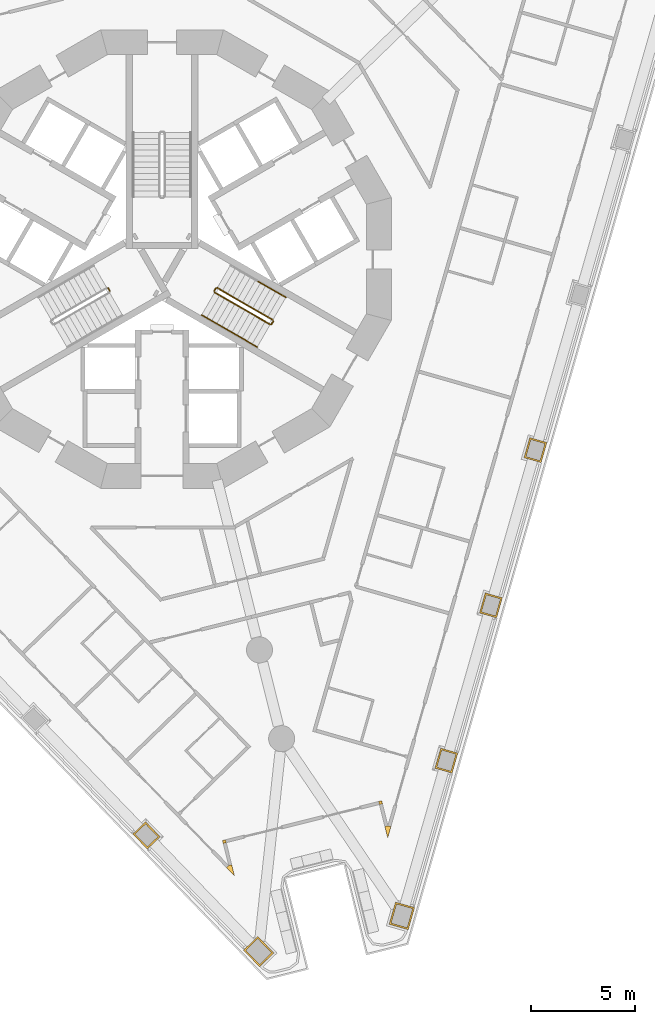
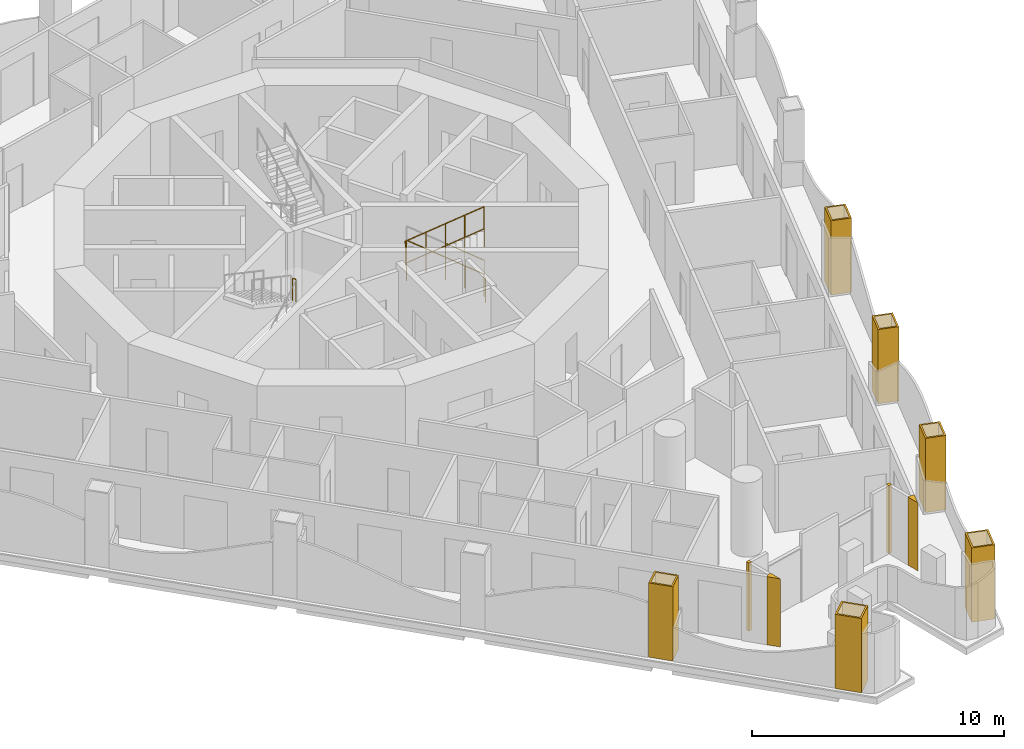
# One storey, part 13 of 18: 10 coverings, 8 railings.
"""IFC4 building model written with IfcOpenShell, lengths in metres."""

from ifc_helpers import new_model, si_unit, direction, frame, origin, origin_2d, place, context, subcontext, project, spatial, polyline, circle, outline, extrude, material, layer, layer_set, type_object, element, save


model = new_model("IFC4")

# Units and contexts
model_context = context("Model", 3, precision=1e-05, world=origin(), true_north=direction((0.0, 1.0)))
body_context = subcontext(model_context, "Body", "Model", "MODEL_VIEW")
ifc_project = project(units=[si_unit("LENGTHUNIT", "METRE"), si_unit("AREAUNIT", "SQUARE_METRE"), si_unit("VOLUMEUNIT", "CUBIC_METRE"), si_unit("PLANEANGLEUNIT", "RADIAN"), si_unit("MASSUNIT", "GRAM", prefix="KILO")], contexts=[model_context])

# Site, building, storey
site_placement = place(None, origin())
site = spatial("IfcSite", under=ifc_project, at=site_placement, CompositionType="ELEMENT")
building_placement = place(site_placement, origin())
building = spatial("IfcBuilding", under=site, at=building_placement, Name="Trine Commons Tower", CompositionType="ELEMENT")
storey_placement = place(building_placement, frame((0.0, 0.0, 90.89990234375)))
storey = spatial("IfcBuildingStorey", under=building, at=storey_placement, Name="L22", CompositionType="ELEMENT", Elevation=90.89990234375)

# Coverings
ifc_material_1 = material(Name="Aluminium-framed insulated wall panel", Category="aluminium")
ifc_layer_1 = layer(ifc_material_1, 0.14990234375)
ifc_layer_set_1 = layer_set([ifc_layer_1], Name="Aluminium-framed insulated wall panel")
covering_type_1 = type_object("IfcCoveringType", Name="Glazing corner post, aluminium", PredefinedType="CLADDING", material=ifc_layer_set_1)
covering_1_placement = place(storey_placement, origin())
element("IfcCovering", 1, at=covering_1_placement, inside=storey, type_object=covering_type_1, Name="Glazing corner post 3-09", PredefinedType="CLADDING", context=body_context, shape_type="SweptSolid", body=[
    extrude(outline(polyline([(90.701416015625, 35.24560546875), (90.836669921875, 34.70263671875), (90.990966796875, 35.24072265625), (90.8466796875, 35.281982421875), (90.701416015625, 35.24560546875)])), origin(), (0.0, 0.0, 1.0), 3.300048828125),
])
covering_2_placement = place(storey_placement, origin())
element("IfcCovering", 2, at=covering_2_placement, inside=storey, type_object=covering_type_1, Name="Glazing corner post 3-10", PredefinedType="CLADDING", context=body_context, shape_type="SweptSolid", body=[
    extrude(outline(polyline([(90.40234375, 36.44482421875), (90.438720703125, 36.29931640625), (90.584228515625, 36.33544921875), (90.5478515625, 36.481201171875), (90.40234375, 36.44482421875)])), origin(), (0.0, 0.0, 1.0), 3.300048828125),
])
covering_3_placement = place(storey_placement, origin())
element("IfcCovering", 3, at=covering_3_placement, inside=storey, type_object=covering_type_1, Name="Glazing corner post 3-11", PredefinedType="CLADDING", context=body_context, shape_type="SweptSolid", body=[
    extrude(outline(polyline([(82.938232421875, 34.42919921875), (83.083740234375, 34.465576171875), (83.047607421875, 34.611083984375), (82.90185546875, 34.57470703125), (82.938232421875, 34.42919921875)])), origin(), (0.0, 0.0, 1.0), 3.300048828125),
])
covering_4_placement = place(storey_placement, origin())
element("IfcCovering", 4, at=covering_4_placement, inside=storey, type_object=covering_type_1, Name="Glazing corner post 3-12", PredefinedType="CLADDING", context=body_context, shape_type="SweptSolid", body=[
    extrude(outline(polyline([(83.093017578125, 33.271484375), (83.48193359375, 32.868896484375), (83.346435546875, 33.412109375), (83.200927734375, 33.375732421875), (83.093017578125, 33.271484375)])), origin(), (0.0, 0.0, 1.0), 3.300048828125),
])
ifc_material_2 = material(Name="Limestone, honed", Category="masonry")
ifc_layer_2 = layer(ifc_material_2, 0.074951171875)
ifc_layer_set_2 = layer_set([ifc_layer_2], Name="Limestone, honed")
covering_type_2 = type_object("IfcCoveringType", Name="Limestone column cladding 75", PredefinedType="CLADDING", material=ifc_layer_set_2)
covering_5_placement = place(storey_placement, origin())
element("IfcCovering", 5, at=covering_5_placement, inside=storey, type_object=covering_type_2, Name="Limestone pier cladding 3-01", PredefinedType="CLADDING", context=body_context, shape_type="SweptSolid", body=[
    extrude(outline(polyline([(84.600341796875, 29.961669921875), (83.9169921875, 29.3017578125), (84.68115234375, 28.510498046875), (85.364501953125, 29.17041015625), (84.600341796875, 29.961669921875)]), holes=[polyline([(84.598388671875, 29.85546875), (84.02294921875, 29.2998046875), (84.682861328125, 28.616455078125), (85.25830078125, 29.172119140625), (84.598388671875, 29.85546875)])]), origin(), (0.0, 0.0, 1.0), 3.60009765625),
])
covering_6_placement = place(storey_placement, origin())
element("IfcCovering", 6, at=covering_6_placement, inside=storey, type_object=covering_type_2, Name="Limestone pier cladding 3-02", PredefinedType="CLADDING", context=body_context, shape_type="SweptSolid", body=[
    extrude(outline(polyline([(79.210205078125, 35.47119140625), (78.5986328125, 34.880859375), (79.293212890625, 34.16162109375), (79.90478515625, 34.751953125), (79.210205078125, 35.47119140625)]), holes=[polyline([(79.208251953125, 35.365234375), (78.70458984375, 34.87890625), (79.295166015625, 34.267578125), (79.798583984375, 34.75390625), (79.208251953125, 35.365234375)])]), origin(), (0.0, 0.0, 1.0), 3.60009765625),
])
covering_7_placement = place(storey_placement, origin())
element("IfcCovering", 7, at=covering_7_placement, inside=storey, type_object=covering_type_2, Name="Limestone pier cladding 3-21", PredefinedType="CLADDING", context=body_context, shape_type="SweptSolid", body=[
    extrude(outline(polyline([(98.48046875, 53.685791015625), (97.663330078125, 53.920166015625), (97.3876953125, 52.958984375), (98.20458984375, 52.724609375), (98.48046875, 53.685791015625)]), holes=[polyline([(98.3876953125, 53.634521484375), (97.714599609375, 53.827392578125), (97.48046875, 53.01025390625), (98.1533203125, 52.8173828125), (98.3876953125, 53.634521484375)])]), origin(), (0.0, 0.0, 1.0), 3.60009765625),
])
covering_8_placement = place(storey_placement, origin())
element("IfcCovering", 8, at=covering_8_placement, inside=storey, type_object=covering_type_2, Name="Limestone pier cladding 3-22", PredefinedType="CLADDING", context=body_context, shape_type="SweptSolid", body=[
    extrude(outline(polyline([(96.342041015625, 46.228759765625), (95.52490234375, 46.462890625), (95.249267578125, 45.501708984375), (96.06640625, 45.267333984375), (96.342041015625, 46.228759765625)]), holes=[polyline([(96.249267578125, 46.17724609375), (95.576416015625, 46.3701171875), (95.342041015625, 45.552978515625), (96.014892578125, 45.360107421875), (96.249267578125, 46.17724609375)])]), origin(), (0.0, 0.0, 1.0), 3.60009765625),
])
covering_9_placement = place(storey_placement, origin())
element("IfcCovering", 9, at=covering_9_placement, inside=storey, type_object=covering_type_2, Name="Limestone pier cladding 3-23", PredefinedType="CLADDING", context=body_context, shape_type="SweptSolid", body=[
    extrude(outline(polyline([(94.203857421875, 38.771484375), (93.38671875, 39.005859375), (93.111083984375, 38.044677734375), (93.927978515625, 37.810302734375), (94.203857421875, 38.771484375)]), holes=[polyline([(94.111083984375, 38.72021484375), (93.43798828125, 38.9130859375), (93.203857421875, 38.095947265625), (93.876708984375, 37.903076171875), (94.111083984375, 38.72021484375)])]), origin(), (0.0, 0.0, 1.0), 3.60009765625),
])
covering_10_placement = place(storey_placement, origin())
element("IfcCovering", 10, at=covering_10_placement, inside=storey, type_object=covering_type_2, Name="Limestone pier cladding 3-24", PredefinedType="CLADDING", context=body_context, shape_type="SweptSolid", body=[
    extrude(outline(polyline([(92.127197265625, 31.348876953125), (91.214111328125, 31.610595703125), (90.910888671875, 30.55322265625), (91.82421875, 30.29150390625), (92.127197265625, 31.348876953125)]), holes=[polyline([(92.034423828125, 31.29736328125), (91.265380859375, 31.517822265625), (91.003662109375, 30.604736328125), (91.772705078125, 30.384033203125), (92.034423828125, 31.29736328125)])]), origin(), (0.0, 0.0, 1.0), 3.60009765625),
])

# Railings
ifc_material_3 = material(Name="Stainless steel balustrade", Category="steel")
railing_type_1 = type_object("IfcRailingType", Name="Stair guard, steel balustrade 1100", PredefinedType="GUARDRAIL", material=ifc_material_3)
railing_1_placement = place(storey_placement, frame((77.490966796875, 60.96484375, 1.800048828125)))
element("IfcRailing", 11, at=railing_1_placement, inside=storey, type_object=railing_type_1, Name="L22 ST2A stair guard 2", PredefinedType="GUARDRAIL", context=body_context, shape_type="SweptSolid", body=[
    extrude(circle(Radius=0.02392578125, at=origin_2d()), frame((0.0, 0.0, 1.076171875), z_axis=(-0.501036270542, 0.865426285481, 0.0), x_axis=(-0.865426285481, -0.501036270542, 0.0)), (0.0, 0.0, 1.0), 0.150146484375),
    extrude(circle(Radius=0.02099609375, at=origin_2d()), origin(), (0.0, 0.0, 1.0), 1.052001953125),
    extrude(circle(Radius=0.02099609375, at=origin_2d()), frame((-0.0751953125, 0.1298828125, 0.0)), (0.0, 0.0, 1.0), 1.052001953125),
])
railing_2_placement = place(storey_placement, frame((85.31982421875, 59.572998046875, 0.150146484375)))
element("IfcRailing", 12, at=railing_2_placement, inside=storey, type_object=railing_type_1, Name="L22 ST3A stair guard 1", PredefinedType="GUARDRAIL", context=body_context, shape_type="SweptSolid", body=[
    extrude(circle(Radius=0.02392578125, at=origin_2d()), frame((0.0, 0.0, 1.076171875), z_axis=(-0.76340495495, 0.440743040072, 0.472184759798), x_axis=(-0.499992328818, -0.866029832698, 0.0)), (0.0, 0.0, 1.0), 3.494140625),
    extrude(circle(Radius=0.02099609375, at=origin_2d()), origin(), (0.0, 0.0, 1.0), 1.052001953125),
    extrude(circle(Radius=0.02099609375, at=origin_2d()), frame((-0.6669921875, 0.385009765625, 0.41259765625)), (0.0, 0.0, 1.0), 1.052001953125),
    extrude(circle(Radius=0.02099609375, at=origin_2d()), frame((-1.333740234375, 0.77001953125, 0.824951171875)), (0.0, 0.0, 1.0), 1.052001953125),
    extrude(circle(Radius=0.02099609375, at=origin_2d()), frame((-2.00048828125, 1.155029296875, 1.2373046875)), (0.0, 0.0, 1.0), 1.052001953125),
    extrude(circle(Radius=0.02099609375, at=origin_2d()), frame((-2.66748046875, 1.5400390625, 1.64990234375)), (0.0, 0.0, 1.0), 1.052001953125),
])
railing_3_placement = place(storey_placement, frame((82.584228515625, 61.0947265625, 1.800048828125)))
element("IfcRailing", 13, at=railing_3_placement, inside=storey, type_object=railing_type_1, Name="L22 ST3A stair guard 2", PredefinedType="GUARDRAIL", context=body_context, shape_type="SweptSolid", body=[
    extrude(circle(Radius=0.02392578125, at=origin_2d()), frame((0.0, 0.0, 1.076171875), z_axis=(-0.501036270542, -0.865426285481, 0.0), x_axis=(0.865426285481, -0.501036270542, 0.0)), (0.0, 0.0, 1.0), 0.150146484375),
    extrude(circle(Radius=0.02099609375, at=origin_2d()), origin(), (0.0, 0.0, 1.0), 1.052001953125),
    extrude(circle(Radius=0.02099609375, at=origin_2d()), frame((-0.0751953125, -0.1298828125, 0.0)), (0.0, 0.0, 1.0), 1.052001953125),
])
railing_4_placement = place(storey_placement, frame((82.52734375, 60.896484375, 1.9501953125)))
element("IfcRailing", 14, at=railing_4_placement, inside=storey, type_object=railing_type_1, Name="L22 ST3A stair guard 3", PredefinedType="GUARDRAIL", context=body_context, shape_type="SweptSolid", body=[
    extrude(circle(Radius=0.02392578125, at=origin_2d()), frame((0.0, 0.0, 1.076171875), z_axis=(0.76340495495, -0.440743040072, 0.472184759798), x_axis=(0.499992328818, 0.866029832698, 0.0)), (0.0, 0.0, 1.0), 3.494140625),
    extrude(circle(Radius=0.02099609375, at=origin_2d()), origin(), (0.0, 0.0, 1.0), 1.052001953125),
    extrude(circle(Radius=0.02099609375, at=origin_2d()), frame((0.6669921875, -0.385009765625, 0.41259765625)), (0.0, 0.0, 1.0), 1.052001953125),
    extrude(circle(Radius=0.02099609375, at=origin_2d()), frame((1.333740234375, -0.77001953125, 0.824951171875)), (0.0, 0.0, 1.0), 1.052001953125),
    extrude(circle(Radius=0.02099609375, at=origin_2d()), frame((2.00048828125, -1.155029296875, 1.2373046875)), (0.0, 0.0, 1.0), 1.052001953125),
    extrude(circle(Radius=0.02099609375, at=origin_2d()), frame((2.66748046875, -1.5400390625, 1.64990234375)), (0.0, 0.0, 1.0), 1.052001953125),
])
railing_5_placement = place(storey_placement, frame((85.338134765625, 59.504638671875, 0.0)))
element("IfcRailing", 15, at=railing_5_placement, inside=storey, type_object=railing_type_1, Name="L22 ST3A stair guard 4", PredefinedType="GUARDRAIL", context=body_context, shape_type="SweptSolid", body=[
    extrude(circle(Radius=0.02392578125, at=origin_2d()), frame((0.0, 0.0, 1.076171875), z_axis=(-0.499816412211, -0.866131372301, 0.0), x_axis=(0.866131372301, -0.499816412211, 0.0)), (0.0, 0.0, 1.0), 0.14990234375),
    extrude(circle(Radius=0.02099609375, at=origin_2d()), origin(), (0.0, 0.0, 1.0), 1.052001953125),
    extrude(circle(Radius=0.02099609375, at=origin_2d()), frame((-0.074951171875, -0.1298828125, 0.0)), (0.0, 0.0, 1.0), 1.052001953125),
])
ifc_material_4 = material(Name="Stainless steel handrail", Category="steel")
railing_type_2 = type_object("IfcRailingType", Name="Stair handrail, steel 900", PredefinedType="HANDRAIL", material=ifc_material_4)
railing_6_placement = place(storey_placement, frame((85.94482421875, 60.655517578125, 0.150146484375)))
element("IfcRailing", 16, at=railing_6_placement, inside=storey, type_object=railing_type_2, Name="L22 ST3A stair handrail 1", PredefinedType="HANDRAIL", context=body_context, shape_type="SweptSolid", body=[
    extrude(circle(Radius=0.02099609375, at=origin_2d()), frame((0.0, 0.0, 0.87890625), z_axis=(-0.76340495495, 0.440743040072, 0.472184759798), x_axis=(-0.499992328818, -0.866029832698, 0.0)), (0.0, 0.0, 1.0), 1.7470703125),
    extrude(circle(Radius=0.01513671875, at=origin_2d()), origin(), (0.0, 0.0, 1.0), 0.85791015625),
    extrude(circle(Radius=0.01513671875, at=origin_2d()), frame((-0.6669921875, 0.385009765625, 0.41259765625)), (0.0, 0.0, 1.0), 0.85791015625),
    extrude(circle(Radius=0.01513671875, at=origin_2d()), frame((-1.333740234375, 0.77001953125, 0.824951171875)), (0.0, 0.0, 1.0), 0.85791015625),
])
for number, where, name in (
    (17, (81.90234375, 59.81396484375, 1.9501953125), "L22 ST3A stair handrail 3"),
    (18, (83.236083984375, 59.0439453125, 2.775146484375), "L22 ST3A stair handrail 4"),
):
    element("IfcRailing", number, at=place(storey_placement, frame(where)), inside=storey, type_object=railing_type_2, Name=name, PredefinedType="HANDRAIL", context=body_context, shape_type="SweptSolid", body=[
        extrude(circle(Radius=0.02099609375, at=origin_2d()), frame((0.0, 0.0, 0.87890625), z_axis=(0.76340495495, -0.440743040072, 0.472184759798), x_axis=(0.499992328818, 0.866029832698, 0.0)), (0.0, 0.0, 1.0), 1.7470703125),
        extrude(circle(Radius=0.01513671875, at=origin_2d()), origin(), (0.0, 0.0, 1.0), 0.85791015625),
        extrude(circle(Radius=0.01513671875, at=origin_2d()), frame((0.6669921875, -0.385009765625, 0.41259765625)), (0.0, 0.0, 1.0), 0.85791015625),
        extrude(circle(Radius=0.01513671875, at=origin_2d()), frame((1.333740234375, -0.77001953125, 0.824951171875)), (0.0, 0.0, 1.0), 0.85791015625),
    ])

save(model, "model.ifc")
